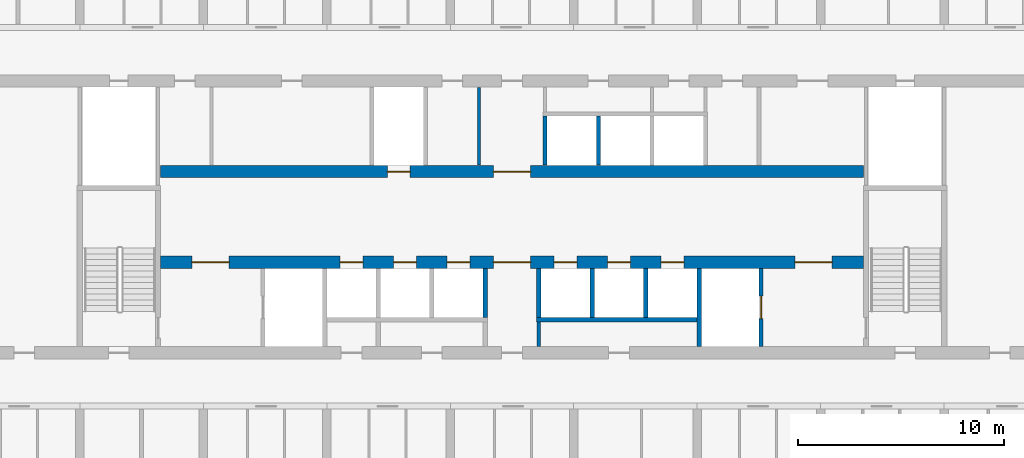
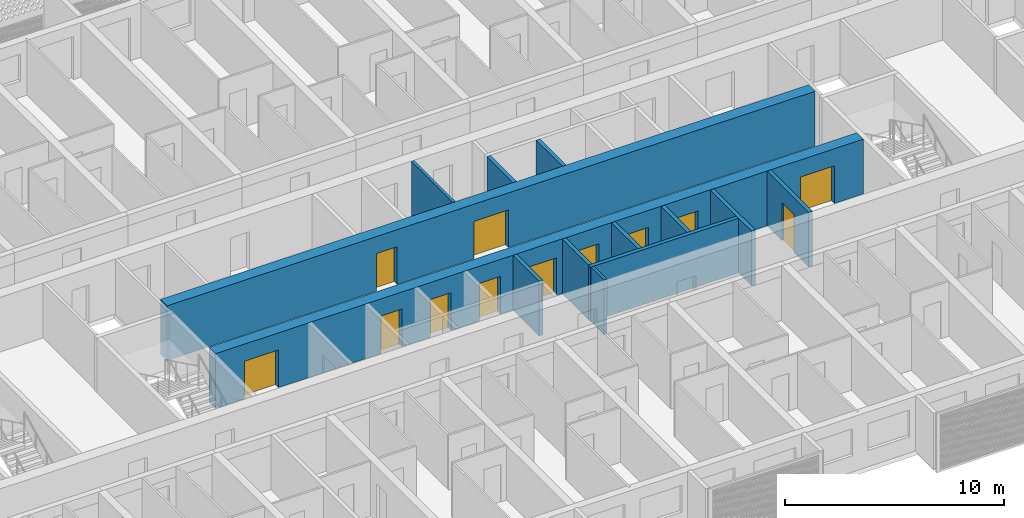
# One storey, part 10 of 44: 13 walls, 12 doors, 12 openings.
"""IFC4 building model written with IfcOpenShell, lengths in metres."""

from ifc_helpers import new_model, si_unit, direction, frame, frame_2d, origin, place, context, subcontext, project, spatial, rectangle, extrude, material, layer, layer_set, type_object, element, fill, save


model = new_model("IFC4")

# Units and contexts
model_context = context("Model", 3, precision=1e-05, world=origin(), true_north=direction((0.0, 1.0)))
body_context = subcontext(model_context, "Body", "Model", "MODEL_VIEW")
ifc_project = project(units=[si_unit("LENGTHUNIT", "METRE"), si_unit("AREAUNIT", "SQUARE_METRE"), si_unit("VOLUMEUNIT", "CUBIC_METRE"), si_unit("PLANEANGLEUNIT", "RADIAN"), si_unit("MASSUNIT", "GRAM", prefix="KILO")], contexts=[model_context])

# Site, building, storey
site_placement = place(None, origin())
site = spatial("IfcSite", under=ifc_project, at=site_placement, CompositionType="ELEMENT")
building_placement = place(site_placement, origin())
building = spatial("IfcBuilding", under=site, at=building_placement, Name="Poui Terraces", CompositionType="ELEMENT")
storey_placement = place(building_placement, frame((0.0, 0.0, 30.0)))
storey = spatial("IfcBuildingStorey", under=building, at=storey_placement, Name="L07", CompositionType="ELEMENT", Elevation=30.0)

# Wall, openings, doors
ifc_material_1 = material(Name="Concrete 80 MPa", Category="concrete")
ifc_layer_1 = layer(ifc_material_1, 0.60009765625)
ifc_layer_set_1 = layer_set([ifc_layer_1], Name="Concrete 80 MPa")
wall_type_1 = type_object("IfcWallType", Name="CORE WALL 600 80 MPA", PredefinedType="SOLIDWALL", material=ifc_layer_set_1)
wall_1_placement = place(storey_placement, frame((33.925048828125, 19.0, 0.0), z_axis=(0.0, 0.0, 1.0), x_axis=(1.0, 0.0, 0.0)))
wall_1 = element("IfcWall", 1, at=wall_1_placement, inside=storey, type_object=wall_type_1, Name="CORE WALL", PredefinedType="SOLIDWALL", context=body_context, shape_type="SweptSolid", body=[
    extrude(rectangle(XDim=34.14990234375, YDim=0.60009765625, at=frame_2d((17.074951171875, 0.0))), origin(), (0.0, 0.0, 1.0), 3.050048828125),
])
opening_1_placement = place(wall_1_placement, frame((16.175048828125, 0.0, 0.0)))
opening_1 = element("IfcOpeningElement", 2, at=opening_1_placement, cuts=wall_1, Name="Opening FDD60", PredefinedType="OPENING", context=body_context, shape_type="SweptSolid", body=[
    extrude(rectangle(XDim=1.800048828125, YDim=2.10009765625, at=frame_2d((0.89990234375, 1.050048828125))), frame((0.0, 0.31005859375, 0.0), z_axis=(0.0, -1.0, 0.0), x_axis=(1.0, 0.0, 0.0)), (0.0, 0.0, 1.0), 0.6201171875),
])
opening_2_placement = place(wall_1_placement, frame((1.52490234375, 0.0, 0.0)))
opening_2 = element("IfcOpeningElement", 3, at=opening_2_placement, cuts=wall_1, Name="Opening FDD60", PredefinedType="OPENING", context=body_context, shape_type="SweptSolid", body=[
    extrude(rectangle(XDim=1.800048828125, YDim=2.10009765625, at=frame_2d((0.89990234375, 1.050048828125))), frame((0.0, 0.31005859375, 0.0), z_axis=(0.0, -1.0, 0.0), x_axis=(1.0, 0.0, 0.0)), (0.0, 0.0, 1.0), 0.6201171875),
])
opening_3_placement = place(wall_1_placement, frame((8.72509765625, 0.0, 0.0)))
opening_3 = element("IfcOpeningElement", 4, at=opening_3_placement, cuts=wall_1, Name="Opening LD", PredefinedType="OPENING", context=body_context, shape_type="SweptSolid", body=[
    extrude(rectangle(XDim=1.10009765625, YDim=2.10009765625, at=frame_2d((0.550048828125, 1.050048828125))), frame((0.0, 0.31005859375, 0.0), z_axis=(0.0, -1.0, 0.0), x_axis=(1.0, 0.0, 0.0)), (0.0, 0.0, 1.0), 0.6201171875),
])
opening_4_placement = place(wall_1_placement, frame((11.324951171875, 0.0, 0.0)))
opening_4 = element("IfcOpeningElement", 5, at=opening_4_placement, cuts=wall_1, Name="Opening LD", PredefinedType="OPENING", context=body_context, shape_type="SweptSolid", body=[
    extrude(rectangle(XDim=1.10009765625, YDim=2.10009765625, at=frame_2d((0.550048828125, 1.050048828125))), frame((0.0, 0.31005859375, 0.0), z_axis=(0.0, -1.0, 0.0), x_axis=(1.0, 0.0, 0.0)), (0.0, 0.0, 1.0), 0.6201171875),
])
opening_5_placement = place(wall_1_placement, frame((13.925048828125, 0.0, 0.0)))
opening_5 = element("IfcOpeningElement", 6, at=opening_5_placement, cuts=wall_1, Name="Opening LD", PredefinedType="OPENING", context=body_context, shape_type="SweptSolid", body=[
    extrude(rectangle(XDim=1.10009765625, YDim=2.10009765625, at=frame_2d((0.550048828125, 1.050048828125))), frame((0.0, 0.31005859375, 0.0), z_axis=(0.0, -1.0, 0.0), x_axis=(1.0, 0.0, 0.0)), (0.0, 0.0, 1.0), 0.6201171875),
])
opening_6_placement = place(wall_1_placement, frame((19.125, 0.0, 0.0)))
opening_6 = element("IfcOpeningElement", 7, at=opening_6_placement, cuts=wall_1, Name="Opening LD", PredefinedType="OPENING", context=body_context, shape_type="SweptSolid", body=[
    extrude(rectangle(XDim=1.10009765625, YDim=2.10009765625, at=frame_2d((0.550048828125, 1.050048828125))), frame((0.0, 0.31005859375, 0.0), z_axis=(0.0, -1.0, 0.0), x_axis=(1.0, 0.0, 0.0)), (0.0, 0.0, 1.0), 0.6201171875),
])
opening_7_placement = place(wall_1_placement, frame((21.72509765625, 0.0, 0.0)))
opening_7 = element("IfcOpeningElement", 8, at=opening_7_placement, cuts=wall_1, Name="Opening LD", PredefinedType="OPENING", context=body_context, shape_type="SweptSolid", body=[
    extrude(rectangle(XDim=1.10009765625, YDim=2.10009765625, at=frame_2d((0.550048828125, 1.050048828125))), frame((0.0, 0.31005859375, 0.0), z_axis=(0.0, -1.0, 0.0), x_axis=(1.0, 0.0, 0.0)), (0.0, 0.0, 1.0), 0.6201171875),
])
opening_8_placement = place(wall_1_placement, frame((24.324951171875, 0.0, 0.0)))
opening_8 = element("IfcOpeningElement", 9, at=opening_8_placement, cuts=wall_1, Name="Opening LD", PredefinedType="OPENING", context=body_context, shape_type="SweptSolid", body=[
    extrude(rectangle(XDim=1.10009765625, YDim=2.10009765625, at=frame_2d((0.550048828125, 1.050048828125))), frame((0.0, 0.31005859375, 0.0), z_axis=(0.0, -1.0, 0.0), x_axis=(1.0, 0.0, 0.0)), (0.0, 0.0, 1.0), 0.6201171875),
])
opening_9_placement = place(wall_1_placement, frame((30.824951171875, 0.0, 0.0)))
opening_9 = element("IfcOpeningElement", 10, at=opening_9_placement, cuts=wall_1, Name="Opening FDD60", PredefinedType="OPENING", context=body_context, shape_type="SweptSolid", body=[
    extrude(rectangle(XDim=1.800048828125, YDim=2.10009765625, at=frame_2d((0.89990234375, 1.050048828125))), frame((0.0, 0.31005859375, 0.0), z_axis=(0.0, -1.0, 0.0), x_axis=(1.0, 0.0, 0.0)), (0.0, 0.0, 1.0), 0.6201171875),
])
ifc_material_2 = material(Name="Steel fire door", Category="steel")
door_type_1 = type_object("IfcDoorType", Name="DOUBLE LOBBY FIRE DOOR 1800 X 2100", OperationType="DOUBLE_DOOR_SINGLE_SWING", PredefinedType="DOOR", material=ifc_material_2)
door_1_placement = place(opening_1_placement, frame((1.800048828125, 0.0, 0.0), z_axis=(0.0, 0.0, 1.0), x_axis=(-1.0, 0.0, 0.0)))
door_1 = element("IfcDoor", 11, at=door_1_placement, inside=storey, type_object=door_type_1, Name="DOUBLE LOBBY FIRE DOOR 156", OperationType="DOUBLE_DOOR_SINGLE_SWING", OverallHeight=2.10009765625, OverallWidth=1.800048828125, PredefinedType="DOOR", context=body_context, shape_type="SweptSolid", body=[
    extrude(rectangle(XDim=1.800048828125, YDim=2.10009765625, at=frame_2d((0.89990234375, 1.050048828125))), frame((0.0, 0.02490234375, 0.0), z_axis=(0.0, -1.0, 0.0), x_axis=(1.0, 0.0, 0.0)), (0.0, 0.0, 1.0), 0.050048828125),
])
fill(opening_1, door_1)
door_2_placement = place(opening_2_placement, origin())
door_2 = element("IfcDoor", 12, at=door_2_placement, inside=storey, type_object=door_type_1, Name="DOUBLE LOBBY FIRE DOOR 157", OperationType="DOUBLE_DOOR_SINGLE_SWING", OverallHeight=2.10009765625, OverallWidth=1.800048828125, PredefinedType="DOOR", context=body_context, shape_type="SweptSolid", body=[
    extrude(rectangle(XDim=1.800048828125, YDim=2.10009765625, at=frame_2d((0.89990234375, 1.050048828125))), frame((0.0, 0.02490234375, 0.0), z_axis=(0.0, -1.0, 0.0), x_axis=(1.0, 0.0, 0.0)), (0.0, 0.0, 1.0), 0.050048828125),
])
fill(opening_2, door_2)
door_3_placement = place(opening_9_placement, origin())
door_3 = element("IfcDoor", 13, at=door_3_placement, inside=storey, type_object=door_type_1, Name="DOUBLE LOBBY FIRE DOOR 165", OperationType="DOUBLE_DOOR_SINGLE_SWING", OverallHeight=2.10009765625, OverallWidth=1.800048828125, PredefinedType="DOOR", context=body_context, shape_type="SweptSolid", body=[
    extrude(rectangle(XDim=1.800048828125, YDim=2.10009765625, at=frame_2d((0.89990234375, 1.050048828125))), frame((0.0, 0.02490234375, 0.0), z_axis=(0.0, -1.0, 0.0), x_axis=(1.0, 0.0, 0.0)), (0.0, 0.0, 1.0), 0.050048828125),
])
fill(opening_9, door_3)
ifc_material_3 = material(Name="Stainless steel sliding door", Category="steel")
door_type_2 = type_object("IfcDoorType", Name="LIFT LANDING DOOR 1100 X 2100", OperationType="DOUBLE_DOOR_SLIDING", PredefinedType="DOOR", material=ifc_material_3)
door_4_placement = place(opening_3_placement, origin())
door_4 = element("IfcDoor", 14, at=door_4_placement, inside=storey, type_object=door_type_2, Name="LANDING DOOR", OperationType="DOUBLE_DOOR_SLIDING", OverallHeight=2.10009765625, OverallWidth=1.10009765625, PredefinedType="DOOR", context=body_context, shape_type="SweptSolid", body=[
    extrude(rectangle(XDim=1.10009765625, YDim=2.10009765625, at=frame_2d((0.550048828125, 1.050048828125))), frame((0.0, 0.02490234375, 0.0), z_axis=(0.0, -1.0, 0.0), x_axis=(1.0, 0.0, 0.0)), (0.0, 0.0, 1.0), 0.050048828125),
])
fill(opening_3, door_4)
door_5_placement = place(opening_4_placement, origin())
door_5 = element("IfcDoor", 15, at=door_5_placement, inside=storey, type_object=door_type_2, Name="LANDING DOOR", OperationType="DOUBLE_DOOR_SLIDING", OverallHeight=2.10009765625, OverallWidth=1.10009765625, PredefinedType="DOOR", context=body_context, shape_type="SweptSolid", body=[
    extrude(rectangle(XDim=1.10009765625, YDim=2.10009765625, at=frame_2d((0.550048828125, 1.050048828125))), frame((0.0, 0.02490234375, 0.0), z_axis=(0.0, -1.0, 0.0), x_axis=(1.0, 0.0, 0.0)), (0.0, 0.0, 1.0), 0.050048828125),
])
fill(opening_4, door_5)
door_6_placement = place(opening_5_placement, origin())
door_6 = element("IfcDoor", 16, at=door_6_placement, inside=storey, type_object=door_type_2, Name="LANDING DOOR", OperationType="DOUBLE_DOOR_SLIDING", OverallHeight=2.10009765625, OverallWidth=1.10009765625, PredefinedType="DOOR", context=body_context, shape_type="SweptSolid", body=[
    extrude(rectangle(XDim=1.10009765625, YDim=2.10009765625, at=frame_2d((0.550048828125, 1.050048828125))), frame((0.0, 0.02490234375, 0.0), z_axis=(0.0, -1.0, 0.0), x_axis=(1.0, 0.0, 0.0)), (0.0, 0.0, 1.0), 0.050048828125),
])
fill(opening_5, door_6)
door_7_placement = place(opening_6_placement, origin())
door_7 = element("IfcDoor", 17, at=door_7_placement, inside=storey, type_object=door_type_2, Name="LANDING DOOR", OperationType="DOUBLE_DOOR_SLIDING", OverallHeight=2.10009765625, OverallWidth=1.10009765625, PredefinedType="DOOR", context=body_context, shape_type="SweptSolid", body=[
    extrude(rectangle(XDim=1.10009765625, YDim=2.10009765625, at=frame_2d((0.550048828125, 1.050048828125))), frame((0.0, 0.02490234375, 0.0), z_axis=(0.0, -1.0, 0.0), x_axis=(1.0, 0.0, 0.0)), (0.0, 0.0, 1.0), 0.050048828125),
])
fill(opening_6, door_7)
door_8_placement = place(opening_7_placement, origin())
door_8 = element("IfcDoor", 18, at=door_8_placement, inside=storey, type_object=door_type_2, Name="LANDING DOOR", OperationType="DOUBLE_DOOR_SLIDING", OverallHeight=2.10009765625, OverallWidth=1.10009765625, PredefinedType="DOOR", context=body_context, shape_type="SweptSolid", body=[
    extrude(rectangle(XDim=1.10009765625, YDim=2.10009765625, at=frame_2d((0.550048828125, 1.050048828125))), frame((0.0, 0.02490234375, 0.0), z_axis=(0.0, -1.0, 0.0), x_axis=(1.0, 0.0, 0.0)), (0.0, 0.0, 1.0), 0.050048828125),
])
fill(opening_7, door_8)
door_9_placement = place(opening_8_placement, origin())
door_9 = element("IfcDoor", 19, at=door_9_placement, inside=storey, type_object=door_type_2, Name="LANDING DOOR", OperationType="DOUBLE_DOOR_SLIDING", OverallHeight=2.10009765625, OverallWidth=1.10009765625, PredefinedType="DOOR", context=body_context, shape_type="SweptSolid", body=[
    extrude(rectangle(XDim=1.10009765625, YDim=2.10009765625, at=frame_2d((0.550048828125, 1.050048828125))), frame((0.0, 0.02490234375, 0.0), z_axis=(0.0, -1.0, 0.0), x_axis=(1.0, 0.0, 0.0)), (0.0, 0.0, 1.0), 0.050048828125),
])
fill(opening_8, door_9)

wall_2_placement = place(storey_placement, frame((33.925048828125, 23.39990234375, 0.0), z_axis=(0.0, 0.0, 1.0), x_axis=(1.0, 0.0, 0.0)))
wall_2 = element("IfcWall", 20, at=wall_2_placement, inside=storey, type_object=wall_type_1, Name="CORE WALL", PredefinedType="SOLIDWALL", context=body_context, shape_type="SweptSolid", body=[
    extrude(rectangle(XDim=34.14990234375, YDim=0.60009765625, at=frame_2d((17.074951171875, 0.0))), origin(), (0.0, 0.0, 1.0), 3.050048828125),
])
opening_10_placement = place(wall_2_placement, frame((16.175048828125, 0.0, 0.0)))
opening_10 = element("IfcOpeningElement", 21, at=opening_10_placement, cuts=wall_2, Name="Opening FDD60", PredefinedType="OPENING", context=body_context, shape_type="SweptSolid", body=[
    extrude(rectangle(XDim=1.800048828125, YDim=2.10009765625, at=frame_2d((0.89990234375, 1.050048828125))), frame((0.0, 0.31005859375, 0.0), z_axis=(0.0, -1.0, 0.0), x_axis=(1.0, 0.0, 0.0)), (0.0, 0.0, 1.0), 0.6201171875),
])
opening_11_placement = place(wall_2_placement, frame((11.02490234375, 0.0, 0.0)))
opening_11 = element("IfcOpeningElement", 22, at=opening_11_placement, cuts=wall_2, Name="Opening LD", PredefinedType="OPENING", context=body_context, shape_type="SweptSolid", body=[
    extrude(rectangle(XDim=1.10009765625, YDim=2.10009765625, at=frame_2d((0.550048828125, 1.050048828125))), frame((0.0, 0.31005859375, 0.0), z_axis=(0.0, -1.0, 0.0), x_axis=(1.0, 0.0, 0.0)), (0.0, 0.0, 1.0), 0.6201171875),
])
door_10_placement = place(opening_10_placement, origin())
door_10 = element("IfcDoor", 23, at=door_10_placement, inside=storey, type_object=door_type_1, Name="DOUBLE LOBBY FIRE DOOR 155", OperationType="DOUBLE_DOOR_SINGLE_SWING", OverallHeight=2.10009765625, OverallWidth=1.800048828125, PredefinedType="DOOR", context=body_context, shape_type="SweptSolid", body=[
    extrude(rectangle(XDim=1.800048828125, YDim=2.10009765625, at=frame_2d((0.89990234375, 1.050048828125))), frame((0.0, 0.02490234375, 0.0), z_axis=(0.0, -1.0, 0.0), x_axis=(1.0, 0.0, 0.0)), (0.0, 0.0, 1.0), 0.050048828125),
])
fill(opening_10, door_10)
door_11_placement = place(opening_11_placement, origin())
door_11 = element("IfcDoor", 24, at=door_11_placement, inside=storey, type_object=door_type_2, Name="LANDING DOOR", OperationType="DOUBLE_DOOR_SLIDING", OverallHeight=2.10009765625, OverallWidth=1.10009765625, PredefinedType="DOOR", context=body_context, shape_type="SweptSolid", body=[
    extrude(rectangle(XDim=1.10009765625, YDim=2.10009765625, at=frame_2d((0.550048828125, 1.050048828125))), frame((0.0, 0.02490234375, 0.0), z_axis=(0.0, -1.0, 0.0), x_axis=(1.0, 0.0, 0.0)), (0.0, 0.0, 1.0), 0.050048828125),
])
fill(opening_11, door_11)

# Walls
ifc_material_4 = material(Name="Fire-rated plasterboard wall")
ifc_layer_2 = layer(ifc_material_4, 0.14990234375)
ifc_layer_set_2 = layer_set([ifc_layer_2], Name="Fire-rated plasterboard wall")
wall_type_2 = type_object("IfcWallType", Name="CORRIDOR WALL 150", PredefinedType="PARTITIONING", material=ifc_layer_set_2)
wall_3_placement = place(storey_placement, frame((49.39990234375, 23.7099609375, 0.0), z_axis=(0.0, 0.0, 1.0), x_axis=(0.0, 1.0, 0.0)))
element("IfcWall", 25, at=wall_3_placement, inside=storey, type_object=wall_type_2, Name="CORRIDOR WALL 150", PredefinedType="PARTITIONING", context=body_context, shape_type="SweptSolid", body=[
    extrude(rectangle(XDim=3.780029296875, YDim=0.14990234375, at=frame_2d((1.89013671875, 0.0))), origin(), (0.0, 0.0, 1.0), 3.050048828125),
])
wall_4_placement = place(storey_placement, frame((52.300048828125, 14.909912109375, 0.0), z_axis=(0.0, 0.0, 1.0), x_axis=(0.0, 1.0, 0.0)))
element("IfcWall", 26, at=wall_4_placement, inside=storey, type_object=wall_type_2, Name="CORRIDOR WALL 150", PredefinedType="PARTITIONING", context=body_context, shape_type="SweptSolid", body=[
    extrude(rectangle(XDim=1.190185546875, YDim=0.14990234375, at=frame_2d((0.59521484375, 0.0))), origin(), (0.0, 0.0, 1.0), 3.050048828125),
])
ifc_material_5 = material(Name="Fire-rated masonry shaft wall", Category="masonry")
ifc_layer_3 = layer(ifc_material_5, 0.199951171875)
ifc_layer_set_3 = layer_set([ifc_layer_3], Name="Fire-rated masonry shaft wall")
wall_type_3 = type_object("IfcWallType", Name="SHAFT WALL 200", PredefinedType="PARTITIONING", material=ifc_layer_set_3)
wall_5_placement = place(storey_placement, frame((52.199951171875, 16.199951171875, 0.0), z_axis=(0.0, 0.0, 1.0), x_axis=(1.0, 0.0, 0.0)))
element("IfcWall", 27, at=wall_5_placement, inside=storey, type_object=wall_type_3, Name="SHAFT WALL 200", PredefinedType="PARTITIONING", context=body_context, shape_type="SweptSolid", body=[
    extrude(rectangle(XDim=7.800048828125, YDim=0.199951171875, at=frame_2d((3.89990234375, 0.0))), origin(), (0.0, 0.0, 1.0), 3.050048828125),
])
for number, where, z_axis, x_axis, name in (
    (28, (49.699951171875, 16.300048828125, 0.0), (0.0, 0.0, 1.0), (0.0, 1.0, 0.0), "SHAFT WALL 200"),
    (29, (52.300048828125, 16.300048828125, 0.0), (0.0, 0.0, 1.0), (0.0, 1.0, 0.0), "SHAFT WALL 200"),
):
    element("IfcWall", number, at=place(storey_placement, frame(where, z_axis=z_axis, x_axis=x_axis)), inside=storey, type_object=wall_type_3, Name=name, PredefinedType="PARTITIONING", context=body_context, shape_type="SweptSolid", body=[
        extrude(rectangle(XDim=2.389892578125, YDim=0.199951171875, at=frame_2d((1.19482421875, 0.0))), origin(), (0.0, 0.0, 1.0), 3.050048828125),
    ])
wall_6_placement = place(storey_placement, frame((52.60009765625, 23.7099609375, 0.0), z_axis=(0.0, 0.0, 1.0), x_axis=(0.0, 1.0, 0.0)))
element("IfcWall", 30, at=wall_6_placement, inside=storey, type_object=wall_type_3, Name="SHAFT WALL 200", PredefinedType="PARTITIONING", context=body_context, shape_type="SweptSolid", body=[
    extrude(rectangle(XDim=2.39013671875, YDim=0.199951171875, at=frame_2d((1.195068359375, 0.0))), origin(), (0.0, 0.0, 1.0), 3.050048828125),
])
wall_7_placement = place(storey_placement, frame((54.89990234375, 16.300048828125, 0.0), z_axis=(0.0, 0.0, 1.0), x_axis=(0.0, 1.0, 0.0)))
element("IfcWall", 31, at=wall_7_placement, inside=storey, type_object=wall_type_3, Name="SHAFT WALL 200", PredefinedType="PARTITIONING", context=body_context, shape_type="SweptSolid", body=[
    extrude(rectangle(XDim=2.389892578125, YDim=0.199951171875, at=frame_2d((1.19482421875, 0.0))), origin(), (0.0, 0.0, 1.0), 3.050048828125),
])
wall_8_placement = place(storey_placement, frame((55.199951171875, 23.7099609375, 0.0), z_axis=(0.0, 0.0, 1.0), x_axis=(0.0, 1.0, 0.0)))
element("IfcWall", 32, at=wall_8_placement, inside=storey, type_object=wall_type_3, Name="SHAFT WALL 200", PredefinedType="PARTITIONING", context=body_context, shape_type="SweptSolid", body=[
    extrude(rectangle(XDim=2.39013671875, YDim=0.199951171875, at=frame_2d((1.195068359375, 0.0))), origin(), (0.0, 0.0, 1.0), 3.050048828125),
])
wall_9_placement = place(storey_placement, frame((57.5, 16.300048828125, 0.0), z_axis=(0.0, 0.0, 1.0), x_axis=(0.0, 1.0, 0.0)))
element("IfcWall", 33, at=wall_9_placement, inside=storey, type_object=wall_type_3, Name="SHAFT WALL 200", PredefinedType="PARTITIONING", context=body_context, shape_type="SweptSolid", body=[
    extrude(rectangle(XDim=2.389892578125, YDim=0.199951171875, at=frame_2d((1.19482421875, 0.0))), origin(), (0.0, 0.0, 1.0), 3.050048828125),
])
wall_10_placement = place(storey_placement, frame((60.10009765625, 14.909912109375, 0.0), z_axis=(0.0, 0.0, 1.0), x_axis=(0.0, 1.0, 0.0)))
element("IfcWall", 34, at=wall_10_placement, inside=storey, type_object=wall_type_3, Name="SHAFT WALL 200", PredefinedType="PARTITIONING", context=body_context, shape_type="SweptSolid", body=[
    extrude(rectangle(XDim=3.780029296875, YDim=0.199951171875, at=frame_2d((1.89013671875, 0.0))), origin(), (0.0, 0.0, 1.0), 3.050048828125),
])

# Wall, opening, door
wall_11_placement = place(storey_placement, frame((63.10009765625, 14.909912109375, 0.0), z_axis=(0.0, 0.0, 1.0), x_axis=(0.0, 1.0, 0.0)))
wall_11 = element("IfcWall", 35, at=wall_11_placement, inside=storey, type_object=wall_type_3, Name="SHAFT WALL 200", PredefinedType="PARTITIONING", context=body_context, shape_type="SweptSolid", body=[
    extrude(rectangle(XDim=3.780029296875, YDim=0.199951171875, at=frame_2d((1.89013671875, 0.0))), origin(), (0.0, 0.0, 1.0), 3.050048828125),
])
opening_12_placement = place(wall_11_placement, frame((1.340087890625, 0.0, 0.0)))
opening_12 = element("IfcOpeningElement", 36, at=opening_12_placement, cuts=wall_11, Name="Opening LD", PredefinedType="OPENING", context=body_context, shape_type="SweptSolid", body=[
    extrude(rectangle(XDim=1.10009765625, YDim=2.10009765625, at=frame_2d((0.550048828125, 1.050048828125))), frame((0.0, 0.10986328125, 0.0), z_axis=(0.0, -1.0, 0.0), x_axis=(1.0, 0.0, 0.0)), (0.0, 0.0, 1.0), 0.219970703125),
])
door_12_placement = place(opening_12_placement, origin())
door_12 = element("IfcDoor", 37, at=door_12_placement, inside=storey, type_object=door_type_2, Name="LANDING DOOR", OperationType="DOUBLE_DOOR_SLIDING", OverallHeight=2.10009765625, OverallWidth=1.10009765625, PredefinedType="DOOR", context=body_context, shape_type="SweptSolid", body=[
    extrude(rectangle(XDim=1.10009765625, YDim=2.10009765625, at=frame_2d((0.550048828125, 1.050048828125))), frame((0.0, 0.02490234375, 0.0), z_axis=(0.0, -1.0, 0.0), x_axis=(1.0, 0.0, 0.0)), (0.0, 0.0, 1.0), 0.050048828125),
])
fill(opening_12, door_12)

save(model, "model.ifc")
